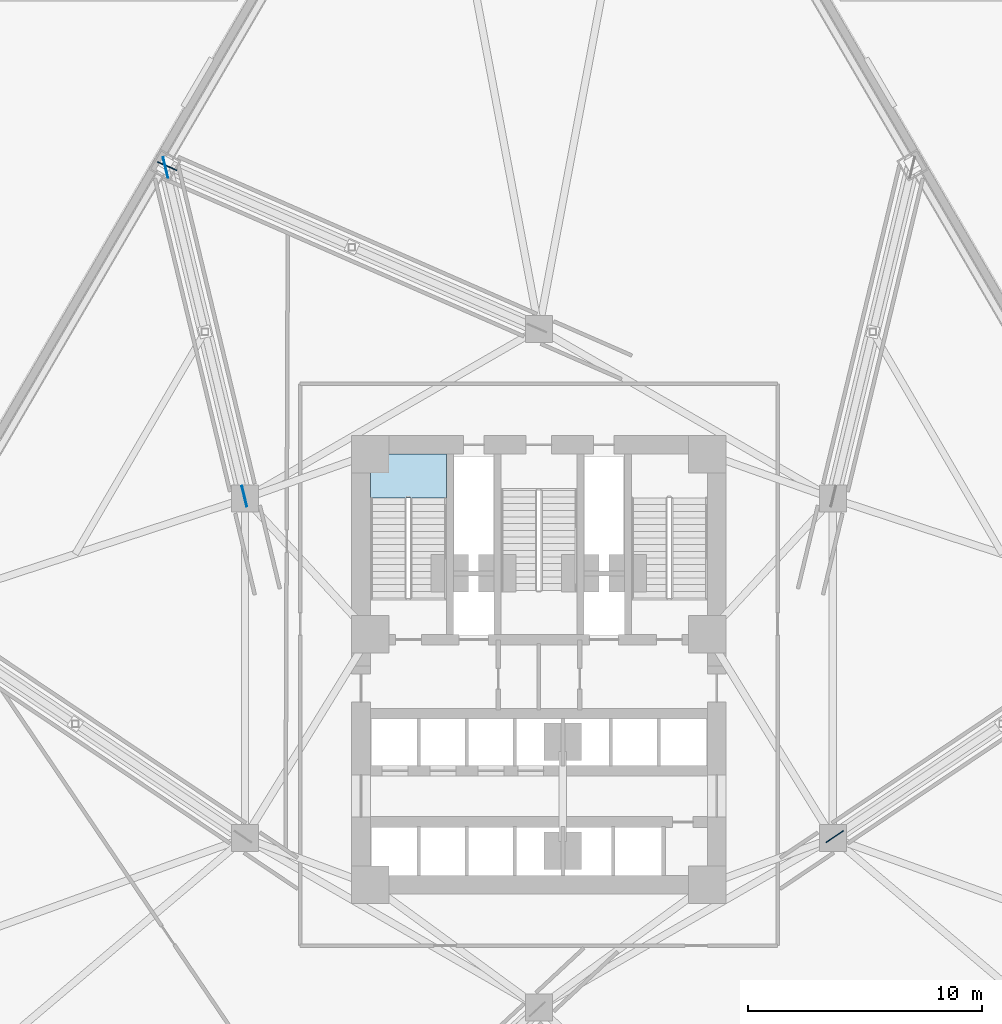
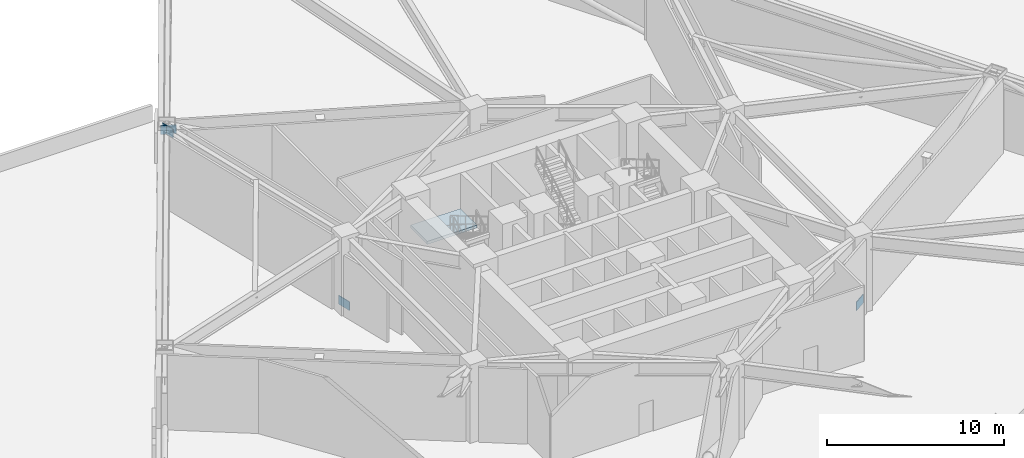
# One storey, part 10 of 23: 4 plates, 1 slab, 1 element without a shape of its own.
"""IFC4 building model written with IfcOpenShell, lengths in metres."""

from ifc_helpers import new_model, si_unit, direction, frame, origin, origin_2d, place, context, subcontext, project, spatial, polyline, rectangle, outline, extrude, material, layer, layer_set, type_object, element, aggregate, save


model = new_model("IFC4")

# Units and contexts
model_context = context("Model", 3, precision=1e-05, world=origin(), true_north=direction((0.0, 1.0)))
body_context = subcontext(model_context, "Body", "Model", "MODEL_VIEW")
ifc_project = project(units=[si_unit("LENGTHUNIT", "METRE"), si_unit("AREAUNIT", "SQUARE_METRE"), si_unit("VOLUMEUNIT", "CUBIC_METRE"), si_unit("PLANEANGLEUNIT", "RADIAN"), si_unit("MASSUNIT", "GRAM", prefix="KILO")], contexts=[model_context])

# Site, building, storey
site_placement = place(None, origin())
site = spatial("IfcSite", under=ifc_project, at=site_placement, CompositionType="ELEMENT")
building_placement = place(site_placement, origin())
building = spatial("IfcBuilding", under=site, at=building_placement, Name="Apsidion Concourse Tower", CompositionType="ELEMENT")
storey_placement = place(building_placement, frame((0.0, 0.0, 29.0)))
storey = spatial("IfcBuildingStorey", under=building, at=storey_placement, Name="L05", CompositionType="ELEMENT", Elevation=29.0)

# Plates
ifc_material_1 = material(Name="Structural steel ASTM A572 Grade 50", Category="steel")
ifc_layer_1 = layer(ifc_material_1, 0.0400390625)
ifc_layer_set_1 = layer_set([ifc_layer_1], Name="Structural steel ASTM A572 Grade 50")
plate_type = type_object("IfcPlateType", Name="PL-GUSSET-40", PredefinedType="SHEET", material=ifc_layer_set_1)
for number, where, z_axis, x_axis, name in (
    (1, (12.64306640625, -7.194091796875, 0.02001953125), (0.0, 0.0, 1.0), (0.829720136676, 0.558179625922, 0.0), "L05 Outrigger Inner Node Gusset Plate ONA-02"),
    (2, (-15.884765625, 21.45361328125, 4.570068359375), (0.0, 0.0, 1.0), (-0.916083009922, 0.400988676813, 0.0), "L05 Outrigger Outer Node Gusset Plate ONB-04"),
    (3, (-12.583251953125, 7.34716796875, 0.02001953125), (0.0, 0.0, 1.0), (-0.233275649735, 0.97241064949, 0.0), "L05 Outrigger Inner Node Gusset Plate ONA-05"),
    (4, (-15.952880859375, 21.396484375, 4.570068359375), (0.0, 0.0, 1.0), (-0.233275649735, 0.97241064949, 0.0), "L05 Outrigger Outer Node Gusset Plate ONB-05"),
):
    element("IfcPlate", number, at=place(storey_placement, frame(where, z_axis=z_axis, x_axis=x_axis)), inside=storey, type_object=plate_type, Name=name, PredefinedType="SHEET", context=body_context, shape_type="SweptSolid", body=[
        extrude(rectangle(XDim=0.89990234375, YDim=0.0400390625, at=origin_2d()), origin(), (0.0, 0.0, 1.0), 0.60009765625),
    ])

# Stair, slab
ifc_material_2 = material(Name="Precast concrete C40/50", Category="concrete")
stair_type = type_object("IfcStairType", Name="ST-DL-1550", PredefinedType="HALF_TURN_STAIR", material=ifc_material_2)
stair_placement = place(storey_placement, origin())
stair = element("IfcStair", 5, at=stair_placement, inside=storey, type_object=stair_type, Name="L05 Protected Core Exit Stair ST1", PredefinedType="HALF_TURN_STAIR")
ifc_material_3 = material(Name="Concrete C50/60", Category="concrete")
ifc_layer_2 = layer(ifc_material_3, 0.199951171875)
ifc_layer_set_2 = layer_set([ifc_layer_2], Name="Concrete C50/60")
slab_type = type_object("IfcSlabType", Name="SL-ST-LAND-200", PredefinedType="LANDING", material=ifc_layer_set_2)
slab_placement = place(storey_placement, frame((0.0, 0.0, 2.5)))
slab = element("IfcSlab", 6, at=slab_placement, type_object=slab_type, Name="ST1 landing 1", PredefinedType="LANDING", context=body_context, shape_type="SweptSolid", body=[
    extrude(outline(polyline([(-3.949951171875, 7.27490234375), (-3.949951171875, 9.14990234375), (-7.199951171875, 9.14990234375), (-7.199951171875, 7.27490234375), (-3.949951171875, 7.27490234375)])), origin(), (0.0, 0.0, 1.0), 0.199951171875),
])
aggregate(stair, [slab])

save(model, "model.ifc")
